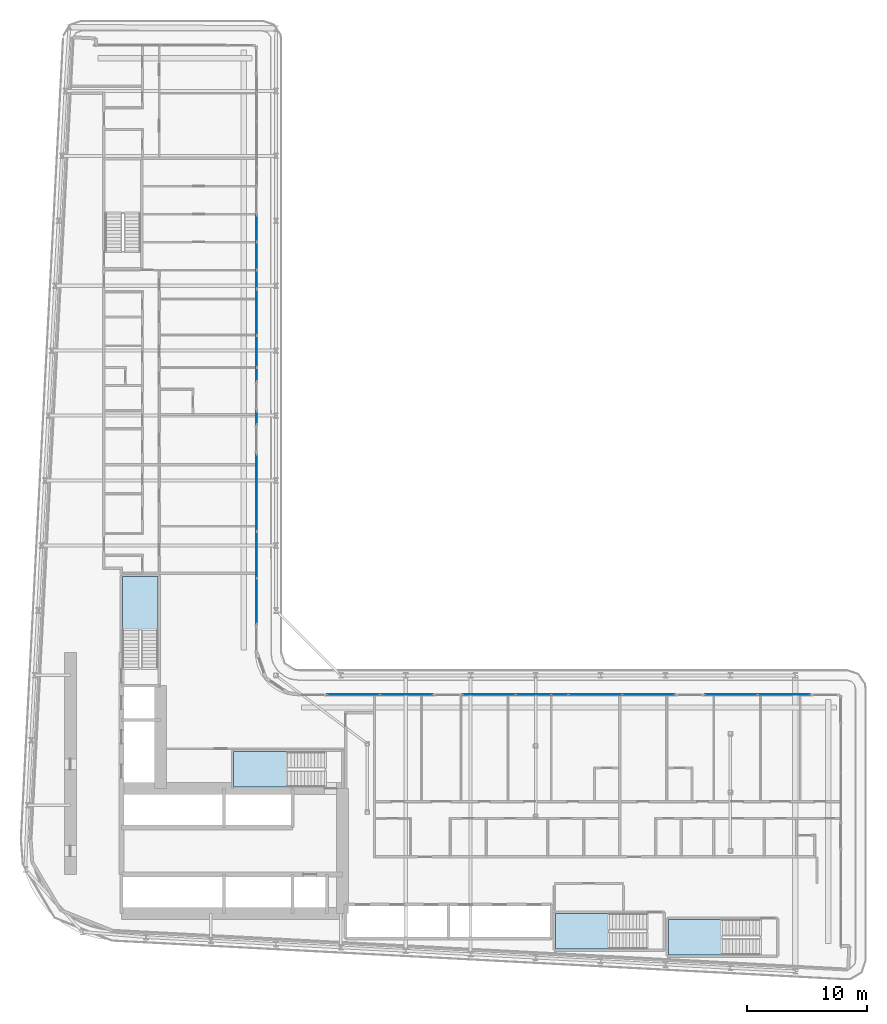
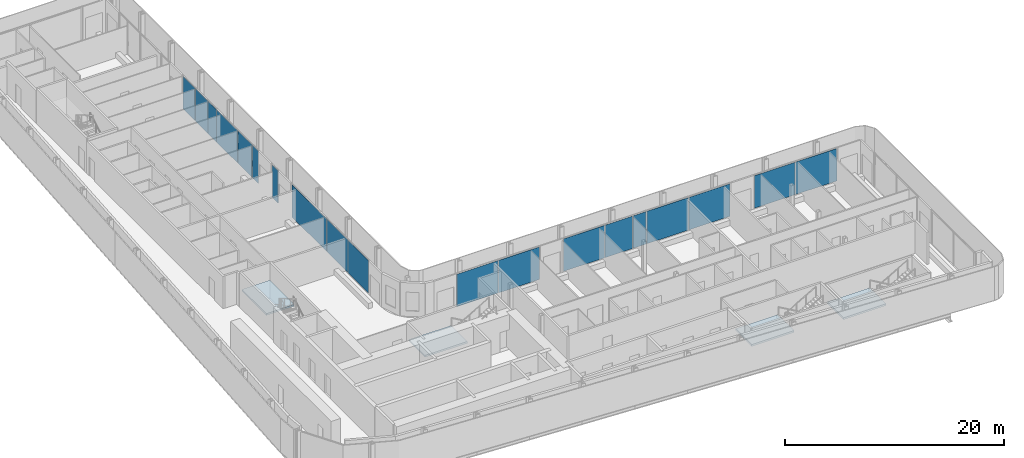
# One storey, part 10 of 27: 19 plates, 4 slabs, 13 elements without a shape of their own.
"""IFC4 building model written with IfcOpenShell, lengths in metres."""

from ifc_helpers import new_model, si_unit, direction, frame, origin, origin_2d, place, context, subcontext, project, spatial, polyline, rectangle, outline, extrude, material, layer, layer_set, type_object, element, aggregate, save


model = new_model("IFC4")

# Units and contexts
model_context = context("Model", 3, precision=1e-05, world=origin(), true_north=direction((0.0, 1.0)))
body_context = subcontext(model_context, "Body", "Model", "MODEL_VIEW")
ifc_project = project(units=[si_unit("LENGTHUNIT", "METRE"), si_unit("AREAUNIT", "SQUARE_METRE"), si_unit("VOLUMEUNIT", "CUBIC_METRE"), si_unit("PLANEANGLEUNIT", "RADIAN"), si_unit("MASSUNIT", "GRAM", prefix="KILO")], contexts=[model_context])

# Site, building, storey
site_placement = place(None, origin())
site = spatial("IfcSite", under=ifc_project, at=site_placement, CompositionType="ELEMENT")
building_placement = place(site_placement, origin())
building = spatial("IfcBuilding", under=site, at=building_placement, Name="Kheshtan School and Residences Tower", CompositionType="ELEMENT")
storey_placement = place(building_placement, frame((0.0, 0.0, 50.0)))
storey = spatial("IfcBuildingStorey", under=building, at=storey_placement, Name="L11", CompositionType="ELEMENT", Elevation=50.0)

# Curtain wall, plates
ifc_material_1 = material(Name="Clear low-e glass in thermally broken aluminium frame", Category="aluminium")
ifc_layer_1 = layer(ifc_material_1, 0.199951171875)
ifc_layer_set_1 = layer_set([ifc_layer_1], Name="Curtain wall CW-L")
curtain_wall_type = type_object("IfcCurtainWallType", Name="Curtain wall CW-L", PredefinedType="NOTDEFINED", material=ifc_layer_set_1)
curtain_wall_1_placement = place(storey_placement, origin())
curtain_wall_1 = element("IfcCurtainWall", 1, at=curtain_wall_1_placement, inside=storey, type_object=curtain_wall_type, Name="Curtain wall CWL8b", PredefinedType="NOTDEFINED")
ifc_layer_2 = layer(ifc_material_1, 0.031982421875)
ifc_layer_set_2 = layer_set([ifc_layer_2], Name="CW-L glass panel")
plate_type = type_object("IfcPlateType", Name="CW-L glass panel", PredefinedType="CURTAIN_PANEL", material=ifc_layer_set_2)
plate_1_placement = place(storey_placement, frame((46.0, 82.75048828125, 0.0), z_axis=(0.0, 0.0, 1.0), x_axis=(0.0, -1.0, 0.0)))
plate_1 = element("IfcPlate", 2, at=plate_1_placement, type_object=plate_type, Name="CWL8b panel 1.1", PredefinedType="CURTAIN_PANEL", context=body_context, shape_type="SweptSolid", body=[
    extrude(rectangle(XDim=2.19091796875, YDim=0.031982421875, at=origin_2d()), origin(), (0.0, 0.0, 1.0), 3.6298828125),
])
plate_2_placement = place(storey_placement, frame((46.0, 80.46240234375, 0.0), z_axis=(0.0, 0.0, 1.0), x_axis=(0.0, -1.0, 0.0)))
plate_2 = element("IfcPlate", 3, at=plate_2_placement, type_object=plate_type, Name="CWL8b panel 2.1", PredefinedType="CURTAIN_PANEL", context=body_context, shape_type="SweptSolid", body=[
    extrude(rectangle(XDim=2.264892578125, YDim=0.031982421875, at=origin_2d()), origin(), (0.0, 0.0, 1.0), 3.6298828125),
])
plate_3_placement = place(storey_placement, frame((46.0, 78.52099609375, 0.0), z_axis=(0.0, 0.0, 1.0), x_axis=(0.0, -1.0, 0.0)))
plate_3 = element("IfcPlate", 4, at=plate_3_placement, type_object=plate_type, Name="CWL8b panel 3.1", PredefinedType="CURTAIN_PANEL", context=body_context, shape_type="SweptSolid", body=[
    extrude(rectangle(XDim=1.498046875, YDim=0.031982421875, at=origin_2d()), origin(), (0.0, 0.0, 1.0), 3.6298828125),
])
aggregate(curtain_wall_1, [plate_1, plate_2, plate_3])

curtain_wall_2_placement = place(storey_placement, origin())
curtain_wall_2 = element("IfcCurtainWall", 5, at=curtain_wall_2_placement, inside=storey, type_object=curtain_wall_type, Name="Curtain wall CWL8c", PredefinedType="NOTDEFINED")
plate_4_placement = place(storey_placement, frame((46.0, 75.803466796875, 0.0), z_axis=(0.0, 0.0, 1.0), x_axis=(0.0, -1.0, 0.0)))
plate_4 = element("IfcPlate", 6, at=plate_4_placement, type_object=plate_type, Name="CWL8c panel 1.1", PredefinedType="CURTAIN_PANEL", context=body_context, shape_type="SweptSolid", body=[
    extrude(rectangle(XDim=3.81689453125, YDim=0.031982421875, at=origin_2d()), origin(), (0.0, 0.0, 1.0), 3.6298828125),
])
plate_5_placement = place(storey_placement, frame((46.0, 72.532470703125, 0.0), z_axis=(0.0, 0.0, 1.0), x_axis=(0.0, -1.0, 0.0)))
plate_5 = element("IfcPlate", 7, at=plate_5_placement, type_object=plate_type, Name="CWL8c panel 2.1", PredefinedType="CURTAIN_PANEL", context=body_context, shape_type="SweptSolid", body=[
    extrude(rectangle(XDim=2.60498046875, YDim=0.031982421875, at=origin_2d()), origin(), (0.0, 0.0, 1.0), 3.6298828125),
])
plate_6_placement = place(storey_placement, frame((46.0, 70.6240234375, 0.0), z_axis=(0.0, 0.0, 1.0), x_axis=(0.0, -1.0, 0.0)))
plate_6 = element("IfcPlate", 8, at=plate_6_placement, type_object=plate_type, Name="CWL8c panel 3.1", PredefinedType="CURTAIN_PANEL", context=body_context, shape_type="SweptSolid", body=[
    extrude(rectangle(XDim=1.092041015625, YDim=0.031982421875, at=origin_2d()), origin(), (0.0, 0.0, 1.0), 3.6298828125),
])
aggregate(curtain_wall_2, [plate_4, plate_5, plate_6])

# Curtain wall, plate
curtain_wall_3_placement = place(storey_placement, origin())
curtain_wall_3 = element("IfcCurtainWall", 9, at=curtain_wall_3_placement, inside=storey, type_object=curtain_wall_type, Name="Curtain wall CWL8g", PredefinedType="NOTDEFINED")
plate_7_placement = place(storey_placement, frame((46.0, 67.01806640625, 0.0), z_axis=(0.0, 0.0, 1.0), x_axis=(0.0, -1.0, 0.0)))
plate_7 = element("IfcPlate", 10, at=plate_7_placement, type_object=plate_type, Name="CWL8g panel 1.1", PredefinedType="CURTAIN_PANEL", context=body_context, shape_type="SweptSolid", body=[
    extrude(rectangle(XDim=1.080078125, YDim=0.031982421875, at=origin_2d()), origin(), (0.0, 0.0, 1.0), 3.6298828125),
])
aggregate(curtain_wall_3, [plate_7])

curtain_wall_4_placement = place(storey_placement, origin())
curtain_wall_4 = element("IfcCurtainWall", 11, at=curtain_wall_4_placement, inside=storey, type_object=curtain_wall_type, Name="Curtain wall CWL8h", PredefinedType="NOTDEFINED")
plate_8_placement = place(storey_placement, frame((46.0, 60.77099609375, 0.0), z_axis=(0.0, 0.0, 1.0), x_axis=(0.0, -1.0, 0.0)))
plate_8 = element("IfcPlate", 12, at=plate_8_placement, type_object=plate_type, Name="CWL8h panel 1.1", PredefinedType="CURTAIN_PANEL", context=body_context, shape_type="SweptSolid", body=[
    extrude(rectangle(XDim=6.3740234375, YDim=0.031982421875, at=origin_2d()), origin(), (0.0, 0.0, 1.0), 3.6298828125),
])
aggregate(curtain_wall_4, [plate_8])

# Curtain wall, plates
curtain_wall_5_placement = place(storey_placement, origin())
curtain_wall_5 = element("IfcCurtainWall", 13, at=curtain_wall_5_placement, inside=storey, type_object=curtain_wall_type, Name="Curtain wall CWL8", PredefinedType="NOTDEFINED")
plate_9_placement = place(storey_placement, frame((46.0, 55.615478515625, 0.0), z_axis=(0.0, 0.0, 1.0), x_axis=(0.0, -1.0, 0.0)))
plate_9 = element("IfcPlate", 14, at=plate_9_placement, type_object=plate_type, Name="CWL8 panel 1.1", PredefinedType="CURTAIN_PANEL", context=body_context, shape_type="SweptSolid", body=[
    extrude(rectangle(XDim=3.81689453125, YDim=0.031982421875, at=origin_2d()), origin(), (0.0, 0.0, 1.0), 3.6298828125),
])
plate_10_placement = place(storey_placement, frame((46.0, 51.7685546875, 0.0), z_axis=(0.0, 0.0, 1.0), x_axis=(0.0, -1.0, 0.0)))
plate_10 = element("IfcPlate", 15, at=plate_10_placement, type_object=plate_type, Name="CWL8 panel 2.1", PredefinedType="CURTAIN_PANEL", context=body_context, shape_type="SweptSolid", body=[
    extrude(rectangle(XDim=3.757080078125, YDim=0.031982421875, at=origin_2d()), origin(), (0.0, 0.0, 1.0), 3.6298828125),
])
aggregate(curtain_wall_5, [plate_9, plate_10])

curtain_wall_6_placement = place(storey_placement, origin())
curtain_wall_6 = element("IfcCurtainWall", 16, at=curtain_wall_6_placement, inside=storey, type_object=curtain_wall_type, Name="Curtain wall CWL12f", PredefinedType="NOTDEFINED")
plate_11_placement = place(storey_placement, frame((54.061767578125, 44.0, 0.0), z_axis=(0.0, 0.0, 1.0), x_axis=(1.0, 0.0, 0.0)))
plate_11 = element("IfcPlate", 17, at=plate_11_placement, type_object=plate_type, Name="CWL12f panel 1.1", PredefinedType="CURTAIN_PANEL", context=body_context, shape_type="SweptSolid", body=[
    extrude(rectangle(XDim=4.34375, YDim=0.031982421875, at=origin_2d()), origin(), (0.0, 0.0, 1.0), 3.6298828125),
])
plate_12_placement = place(storey_placement, frame((58.465576171875, 44.0, 0.0), z_axis=(0.0, 0.0, 1.0), x_axis=(1.0, 0.0, 0.0)))
plate_12 = element("IfcPlate", 18, at=plate_12_placement, type_object=plate_type, Name="CWL12f panel 2.1", PredefinedType="CURTAIN_PANEL", context=body_context, shape_type="SweptSolid", body=[
    extrude(rectangle(XDim=4.34375, YDim=0.031982421875, at=origin_2d()), origin(), (0.0, 0.0, 1.0), 3.6298828125),
])
aggregate(curtain_wall_6, [plate_11, plate_12])

curtain_wall_7_placement = place(storey_placement, origin())
curtain_wall_7 = element("IfcCurtainWall", 19, at=curtain_wall_7_placement, inside=storey, type_object=curtain_wall_type, Name="Curtain wall CWL12g", PredefinedType="NOTDEFINED")
plate_13_placement = place(storey_placement, frame((65.329345703125, 44.0, 0.0), z_axis=(0.0, 0.0, 1.0), x_axis=(1.0, 0.0, 0.0)))
plate_13 = element("IfcPlate", 20, at=plate_13_placement, type_object=plate_type, Name="CWL12g panel 1.1", PredefinedType="CURTAIN_PANEL", context=body_context, shape_type="SweptSolid", body=[
    extrude(rectangle(XDim=4.34375, YDim=0.031982421875, at=origin_2d()), origin(), (0.0, 0.0, 1.0), 3.6298828125),
])
plate_14_placement = place(storey_placement, frame((69.015625, 44.0, 0.0), z_axis=(0.0, 0.0, 1.0), x_axis=(1.0, 0.0, 0.0)))
plate_14 = element("IfcPlate", 21, at=plate_14_placement, type_object=plate_type, Name="CWL12g panel 2.1", PredefinedType="CURTAIN_PANEL", context=body_context, shape_type="SweptSolid", body=[
    extrude(rectangle(XDim=2.90869140625, YDim=0.031982421875, at=origin_2d()), origin(), (0.0, 0.0, 1.0), 3.6298828125),
])
plate_15_placement = place(storey_placement, frame((71.217529296875, 44.0, 0.0), z_axis=(0.0, 0.0, 1.0), x_axis=(1.0, 0.0, 0.0)))
plate_15 = element("IfcPlate", 22, at=plate_15_placement, type_object=plate_type, Name="CWL12g panel 3.1", PredefinedType="CURTAIN_PANEL", context=body_context, shape_type="SweptSolid", body=[
    extrude(rectangle(XDim=1.375, YDim=0.031982421875, at=origin_2d()), origin(), (0.0, 0.0, 1.0), 3.6298828125),
])
aggregate(curtain_wall_7, [plate_13, plate_14, plate_15])

curtain_wall_8_placement = place(storey_placement, origin())
curtain_wall_8 = element("IfcCurtainWall", 23, at=curtain_wall_8_placement, inside=storey, type_object=curtain_wall_type, Name="Curtain wall CWL12i", PredefinedType="NOTDEFINED")
plate_16_placement = place(storey_placement, frame((74.1669921875, 44.0, 0.0), z_axis=(0.0, 0.0, 1.0), x_axis=(1.0, 0.0, 0.0)))
plate_16 = element("IfcPlate", 24, at=plate_16_placement, type_object=plate_type, Name="CWL12i panel 1.1", PredefinedType="CURTAIN_PANEL", context=body_context, shape_type="SweptSolid", body=[
    extrude(rectangle(XDim=4.40380859375, YDim=0.031982421875, at=origin_2d()), origin(), (0.0, 0.0, 1.0), 3.6298828125),
])
plate_17_placement = place(storey_placement, frame((78.6005859375, 44.0, 0.0), z_axis=(0.0, 0.0, 1.0), x_axis=(1.0, 0.0, 0.0)))
plate_17 = element("IfcPlate", 25, at=plate_17_placement, type_object=plate_type, Name="CWL12i panel 2.1", PredefinedType="CURTAIN_PANEL", context=body_context, shape_type="SweptSolid", body=[
    extrude(rectangle(XDim=4.34375, YDim=0.031982421875, at=origin_2d()), origin(), (0.0, 0.0, 1.0), 3.6298828125),
])
aggregate(curtain_wall_8, [plate_16, plate_17])

curtain_wall_9_placement = place(storey_placement, origin())
curtain_wall_9 = element("IfcCurtainWall", 26, at=curtain_wall_9_placement, inside=storey, type_object=curtain_wall_type, Name="Curtain wall CWL12i", PredefinedType="NOTDEFINED")
plate_18_placement = place(storey_placement, frame((85.46435546875, 44.0, 0.0), z_axis=(0.0, 0.0, 1.0), x_axis=(1.0, 0.0, 0.0)))
plate_18 = element("IfcPlate", 27, at=plate_18_placement, type_object=plate_type, Name="CWL12i panel 1.1", PredefinedType="CURTAIN_PANEL", context=body_context, shape_type="SweptSolid", body=[
    extrude(rectangle(XDim=4.34375, YDim=0.031982421875, at=origin_2d()), origin(), (0.0, 0.0, 1.0), 3.6298828125),
])
plate_19_placement = place(storey_placement, frame((89.8681640625, 44.0, 0.0), z_axis=(0.0, 0.0, 1.0), x_axis=(1.0, 0.0, 0.0)))
plate_19 = element("IfcPlate", 28, at=plate_19_placement, type_object=plate_type, Name="CWL12i panel 2.1", PredefinedType="CURTAIN_PANEL", context=body_context, shape_type="SweptSolid", body=[
    extrude(rectangle(XDim=4.34375, YDim=0.031982421875, at=origin_2d()), origin(), (0.0, 0.0, 1.0), 3.6298828125),
])
aggregate(curtain_wall_9, [plate_18, plate_19])

# Stair, slab
ifc_material_2 = material(Name="Concrete C40/50", Category="concrete")
stair_type = type_object("IfcStairType", Name="Exit stair, half-turn", PredefinedType="HALF_TURN_STAIR", material=ifc_material_2)
stair_1_placement = place(storey_placement, origin())
stair_1 = element("IfcStair", 29, at=stair_1_placement, inside=storey, type_object=stair_type, Name="L11 Protected Exit Stair ST1", PredefinedType="HALF_TURN_STAIR")
ifc_layer_3 = layer(ifc_material_2, 0.199951171875)
ifc_layer_set_3 = layer_set([ifc_layer_3], Name="Stair landing 200 Concrete C40/50")
slab_type = type_object("IfcSlabType", Name="Stair landing 200 Concrete C40/50", PredefinedType="LANDING", material=ifc_layer_set_3)
slab_1_placement = place(storey_placement, frame((0.0, 0.0, 1.75)))
slab_1 = element("IfcSlab", 30, at=slab_1_placement, type_object=slab_type, Name="ST1 landing 1", PredefinedType="LANDING", context=body_context, shape_type="SweptSolid", body=[
    extrude(outline(polyline([(48.570068359375, 39.25), (44.090087890625, 39.25), (44.090087890625, 36.300048828125), (48.570068359375, 36.300048828125), (48.570068359375, 39.25)])), origin(), (0.0, 0.0, 1.0), 0.199951171875),
])
aggregate(stair_1, [slab_1])

stair_2_placement = place(storey_placement, origin())
stair_2 = element("IfcStair", 31, at=stair_2_placement, inside=storey, type_object=stair_type, Name="L11 Protected Exit Stair ST2", PredefinedType="HALF_TURN_STAIR")
slab_2_placement = place(storey_placement, frame((0.0, 0.0, 1.75)))
slab_2 = element("IfcSlab", 32, at=slab_2_placement, type_object=slab_type, Name="ST2 landing 1", PredefinedType="LANDING", context=body_context, shape_type="SweptSolid", body=[
    extrude(outline(polyline([(37.800048828125, 49.330078125), (37.800048828125, 53.81005859375), (34.85009765625, 53.81005859375), (34.85009765625, 49.330078125), (37.800048828125, 49.330078125)])), origin(), (0.0, 0.0, 1.0), 0.199951171875),
])
aggregate(stair_2, [slab_2])

stair_3_placement = place(storey_placement, origin())
stair_3 = element("IfcStair", 33, at=stair_3_placement, inside=storey, type_object=stair_type, Name="L11 Protected Exit Stair ST4", PredefinedType="HALF_TURN_STAIR")
slab_3_placement = place(storey_placement, frame((0.0, 0.0, 1.75)))
slab_3 = element("IfcSlab", 34, at=slab_3_placement, type_object=slab_type, Name="ST4 landing 1", PredefinedType="LANDING", context=body_context, shape_type="SweptSolid", body=[
    extrude(outline(polyline([(84.739990234375, 25.300048828125), (80.260009765625, 25.300048828125), (80.260009765625, 22.35009765625), (84.739990234375, 22.35009765625), (84.739990234375, 25.300048828125)])), origin(), (0.0, 0.0, 1.0), 0.199951171875),
])
aggregate(stair_3, [slab_3])

stair_4_placement = place(storey_placement, origin())
stair_4 = element("IfcStair", 35, at=stair_4_placement, inside=storey, type_object=stair_type, Name="L11 Protected Exit Stair ST5", PredefinedType="HALF_TURN_STAIR")
slab_4_placement = place(storey_placement, frame((0.0, 0.0, 1.75)))
slab_4 = element("IfcSlab", 36, at=slab_4_placement, type_object=slab_type, Name="ST5 landing 1", PredefinedType="LANDING", context=body_context, shape_type="SweptSolid", body=[
    extrude(outline(polyline([(75.330078125, 25.800048828125), (70.85009765625, 25.800048828125), (70.85009765625, 22.85009765625), (75.330078125, 22.85009765625), (75.330078125, 25.800048828125)])), origin(), (0.0, 0.0, 1.0), 0.199951171875),
])
aggregate(stair_4, [slab_4])

save(model, "model.ifc")
